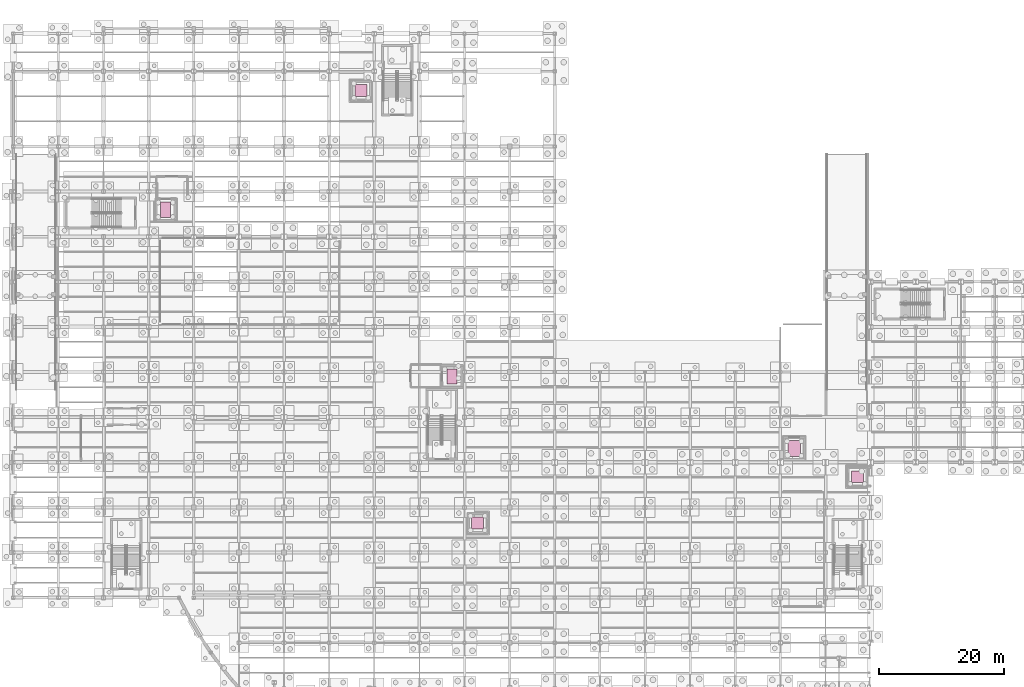
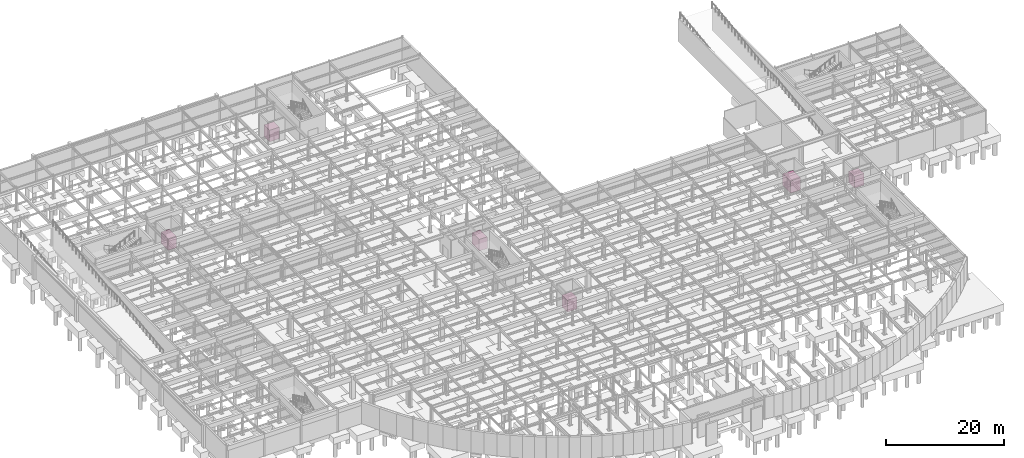
# One storey, part 64 of 64: 6 transport elements.
"""IFC4 building model written with IfcOpenShell, lengths in metres."""

from ifc_helpers import new_model, si_unit, direction, frame, origin, origin_2d, place, context, subcontext, project, spatial, rectangle, extrude, material, type_object, element, save


model = new_model("IFC4")

# Units and contexts
model_context = context("Model", 3, precision=1e-05, world=origin(), true_north=direction((0.0, 1.0)))
body_context = subcontext(model_context, "Body", "Model", "MODEL_VIEW")
ifc_project = project(units=[si_unit("LENGTHUNIT", "METRE"), si_unit("AREAUNIT", "SQUARE_METRE"), si_unit("VOLUMEUNIT", "CUBIC_METRE"), si_unit("PLANEANGLEUNIT", "RADIAN"), si_unit("MASSUNIT", "GRAM", prefix="KILO")], contexts=[model_context])

# Site, building, storey
site_placement = place(None, origin())
site = spatial("IfcSite", under=ifc_project, at=site_placement, CompositionType="ELEMENT")
building_placement = place(site_placement, origin())
building = spatial("IfcBuilding", under=site, at=building_placement, Name="Solvadek Multi-Sports Hall", CompositionType="ELEMENT")
storey_placement = place(building_placement, frame((0.0, 0.0, -4.800048828125)))
storey = spatial("IfcBuildingStorey", under=building, at=storey_placement, Name="B1", CompositionType="ELEMENT", Elevation=-4.800048828125)

# Transport elements
ifc_material = material(Name="Steel E250 (250 MPa)", Category="steel")
transport_element_type_1 = type_object("IfcTransportElementType", Name="INT-LFT-FF160X240", PredefinedType="ELEVATOR", material=ifc_material)
for number, where, z_axis, x_axis, name in (
    (1, (24.300048828125, 82.300048828125, 0.0), (0.0, 0.0, 1.0), (1.0, 0.0, 0.0), "Fireman and Stretcher Lift LF-01"),
    (2, (70.0, 55.699951171875, 0.0), (0.0, 0.0, 1.0), (1.0, 0.0, 0.0), "Fireman and Stretcher Lift LF-02"),
):
    element("IfcTransportElement", number, at=place(storey_placement, frame(where, z_axis=z_axis, x_axis=x_axis)), inside=storey, type_object=transport_element_type_1, Name=name, PredefinedType="ELEVATOR", context=body_context, shape_type="SweptSolid", body=[
        extrude(rectangle(XDim=1.60009765625, YDim=2.39990234375, at=origin_2d()), origin(), (0.0, 0.0, 1.0), 2.39990234375),
    ])
transport_element_type_2 = type_object("IfcTransportElementType", Name="INT-LFT-GDS200X260", PredefinedType="ELEVATOR", material=ifc_material)
transport_element_placement = place(storey_placement, frame((124.60009765625, 44.199951171875, 0.0), z_axis=(0.0, 0.0, 1.0), x_axis=(1.0, 0.0, 0.0)))
element("IfcTransportElement", 3, at=transport_element_placement, inside=storey, type_object=transport_element_type_2, Name="Sports Equipment Goods Lift LG-01", PredefinedType="ELEVATOR", context=body_context, shape_type="SweptSolid", body=[
    extrude(rectangle(XDim=2.0, YDim=2.60009765625, at=origin_2d()), origin(), (0.0, 0.0, 1.0), 2.5),
])
transport_element_type_3 = type_object("IfcTransportElementType", Name="INT-LFT-PAX190X190", PredefinedType="ELEVATOR", material=ifc_material)
for number, where, z_axis, x_axis, name in (
    (4, (55.5, 101.300048828125, 0.0), (0.0, 0.0, 1.0), (1.0, 0.0, 0.0), "Accessible Passenger Lift LP-01"),
    (5, (74.10009765625, 32.300048828125, 0.0), (0.0, 0.0, 1.0), (1.0, 0.0, 0.0), "Accessible Passenger Lift LP-02"),
    (6, (134.699951171875, 39.699951171875, 0.0), (0.0, 0.0, 1.0), (1.0, 0.0, 0.0), "Accessible Passenger Lift LP-03"),
):
    element("IfcTransportElement", number, at=place(storey_placement, frame(where, z_axis=z_axis, x_axis=x_axis)), inside=storey, type_object=transport_element_type_3, Name=name, PredefinedType="ELEVATOR", context=body_context, shape_type="SweptSolid", body=[
        extrude(rectangle(XDim=1.89990234375, YDim=1.89990234375, at=origin_2d()), origin(), (0.0, 0.0, 1.0), 2.39990234375),
    ])

save(model, "model.ifc")
